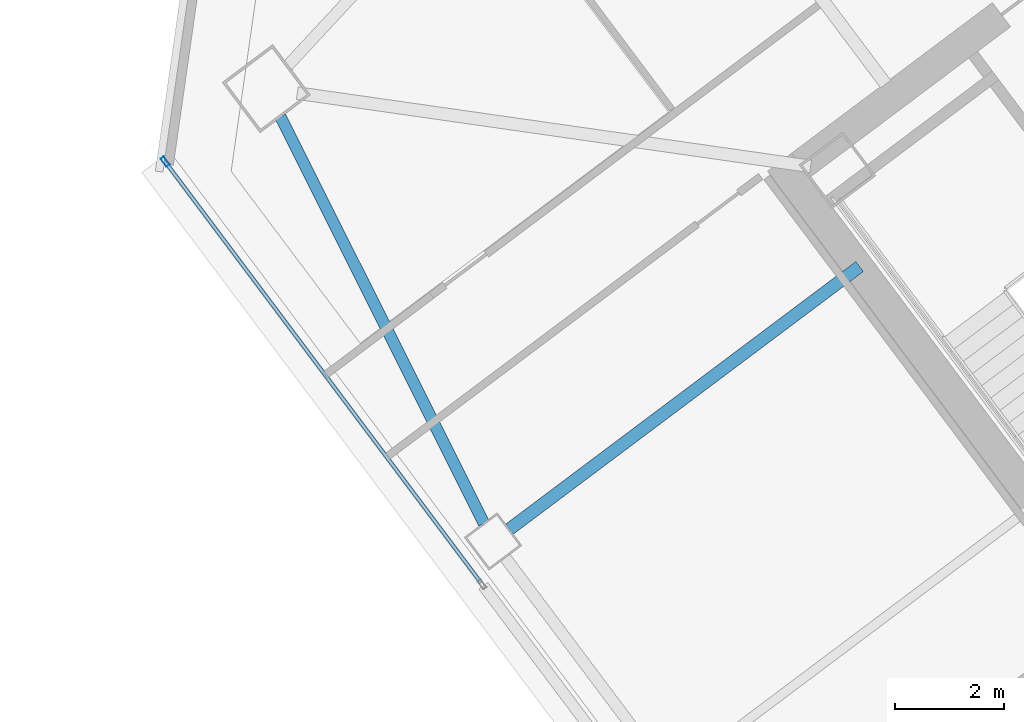
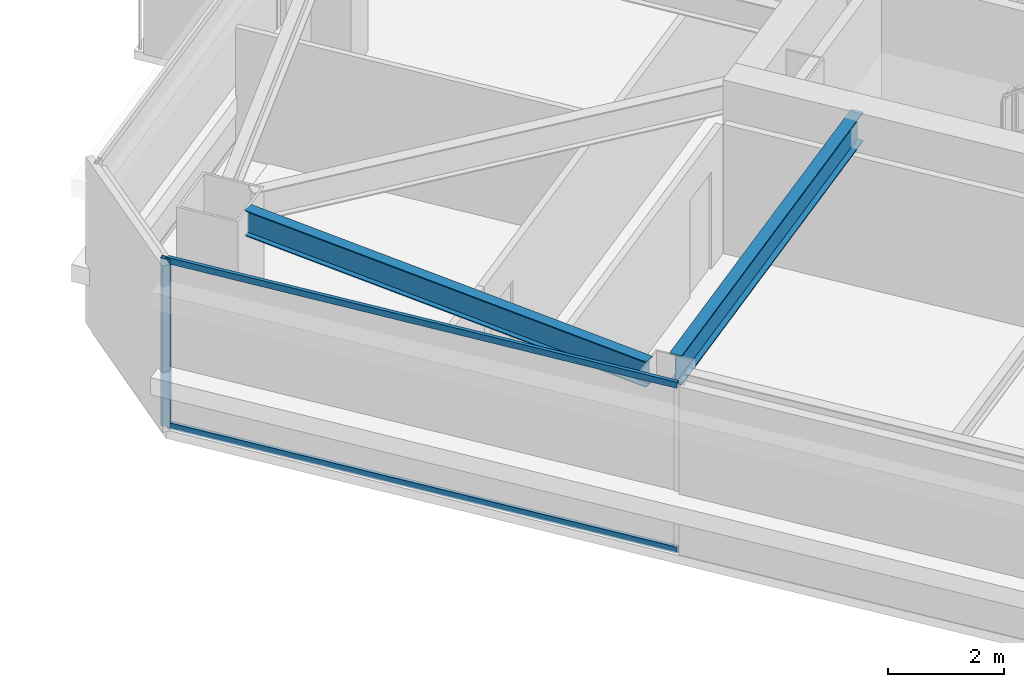
# One storey, part 21 of 41: 3 members, 2 beams, 1 element without a shape of its own.
"""IFC4 building model written with IfcOpenShell, lengths in metres."""

from ifc_helpers import new_model, si_unit, direction, frame, origin, origin_2d, place, context, subcontext, project, spatial, hollow_rectangle, i_section, extrude, material, material_profile, profile_set, type_object, element, aggregate, save


model = new_model("IFC4")

# Units and contexts
model_context = context("Model", 3, precision=1e-05, world=origin(), true_north=direction((0.0, 1.0)))
body_context = subcontext(model_context, "Body", "Model", "MODEL_VIEW")
ifc_project = project(units=[si_unit("LENGTHUNIT", "METRE"), si_unit("AREAUNIT", "SQUARE_METRE"), si_unit("VOLUMEUNIT", "CUBIC_METRE"), si_unit("PLANEANGLEUNIT", "RADIAN"), si_unit("MASSUNIT", "GRAM", prefix="KILO")], contexts=[model_context])

# Site, building, storey
site_placement = place(None, origin())
site = spatial("IfcSite", under=ifc_project, at=site_placement, CompositionType="ELEMENT")
building_placement = place(site_placement, origin())
building = spatial("IfcBuilding", under=site, at=building_placement, Name="Tashvorn Skyway Center", CompositionType="ELEMENT")
storey_placement = place(building_placement, frame((0.0, 0.0, 192.5)))
storey = spatial("IfcBuildingStorey", under=building, at=storey_placement, Name="L52", CompositionType="ELEMENT", Elevation=192.5)

# Beams
ifc_material_1 = material(Name="Steel ASTM A992 Grade 50", Category="steel")
ifc_material_profile_1 = material_profile(ifc_material_1, i_section(OverallWidth=0.22998046875, OverallDepth=0.616943359375, WebThickness=0.01318359375, FlangeThickness=0.022216796875, at=origin_2d()), Name="W24X94")
ifc_profile_set_1 = profile_set([ifc_material_profile_1], Name="Steel ASTM A992 Grade 50")
beam_type_1 = type_object("IfcBeamType", Name="BM-BEAM-W24X94", PredefinedType="BEAM", material=ifc_profile_set_1)
beam_1_placement = place(storey_placement, frame((98.135986328125, 26.85205078125, 3.0615234375), z_axis=(0.799992675677, 0.60000976564, 0.0), x_axis=(-0.60000976564, 0.799992675677, 0.0)))
element("IfcBeam", 1, at=beam_1_placement, inside=storey, type_object=beam_type_1, Name="Tower 2 L52 Primary Floor Girder FC-W1", PredefinedType="BEAM", context=body_context, shape_type="SweptSolid", body=[
    extrude(i_section(OverallWidth=0.22998046875, OverallDepth=0.616943359375, WebThickness=0.01318359375, FlangeThickness=0.022216796875, at=origin_2d()), origin(), (0.0, 0.0, 1.0), 8.0),
])
ifc_material_profile_2 = material_profile(ifc_material_1, i_section(OverallWidth=0.2109375, OverallDepth=0.5390625, WebThickness=0.01171875, FlangeThickness=0.018798828125, at=origin_2d()), Name="W21X73")
ifc_profile_set_2 = profile_set([ifc_material_profile_2], Name="Steel ASTM A992 Grade 50")
beam_type_2 = type_object("IfcBeamType", Name="BM-SPANDREL-W21X73", PredefinedType="SPANDREL", material=ifc_profile_set_2)
beam_2_placement = place(storey_placement, frame((93.955078125, 34.390380859375, 3.1005859375), z_axis=(0.447648438059, -0.894209637559, 0.0), x_axis=(0.894209637559, 0.447648438059, 0.0)))
element("IfcBeam", 2, at=beam_2_placement, inside=storey, type_object=beam_type_2, Name="Tower 2 L52 Spandrel Beam 10", PredefinedType="SPANDREL", context=body_context, shape_type="SweptSolid", body=[
    extrude(i_section(OverallWidth=0.2109375, OverallDepth=0.5390625, WebThickness=0.01171875, FlangeThickness=0.018798828125, at=origin_2d()), origin(), (0.0, 0.0, 1.0), 8.308349609375),
])

# Curtain wall, members
ifc_material_2 = material(Name="Thermally broken bronze-anodized aluminium 6063-T6", Category="aluminium")
curtain_wall_type = type_object("IfcCurtainWallType", Name="CW-CW-Z4", PredefinedType="NOTDEFINED", material=ifc_material_2)
curtain_wall_placement = place(storey_placement, origin())
curtain_wall = element("IfcCurtainWall", 3, at=curtain_wall_placement, inside=storey, type_object=curtain_wall_type, Name="Tower 2 L52 West Unitised Curtain Wall Glazing Group 2", PredefinedType="NOTDEFINED")
ifc_material_profile_3 = material_profile(ifc_material_2, hollow_rectangle(XDim=0.070068359375, YDim=0.179931640625, WallThickness=0.00390625, at=origin_2d()), Name="ALU-MULL-70x180")
ifc_profile_set_3 = profile_set([ifc_material_profile_3], Name="Thermally broken bronze-anodized aluminium 6063-T6")
member_type_1 = type_object("IfcMemberType", Name="CWM-CW-Z4", PredefinedType="MULLION", material=ifc_profile_set_3)
member_1_placement = place(storey_placement, frame((91.84912109375, 33.568115234375, 0.0), z_axis=(0.0, 0.0, 1.0), x_axis=(-0.799999999998, -0.600000000002, 0.0)))
member_1 = element("IfcMember", 4, at=member_1_placement, type_object=member_type_1, Name="CW-Z4 mullion 2", PredefinedType="MULLION", context=body_context, shape_type="SweptSolid", body=[
    extrude(hollow_rectangle(XDim=0.070068359375, YDim=0.179931640625, WallThickness=0.00390625, at=origin_2d()), origin(), (0.0, 0.0, 1.0), 3.550048828125),
])
ifc_material_profile_4 = material_profile(ifc_material_2, hollow_rectangle(XDim=0.070068359375, YDim=0.1298828125, WallThickness=0.00390625, at=origin_2d()), Name="ALU-TRAN-70x130")
ifc_profile_set_4 = profile_set([ifc_material_profile_4], Name="Thermally broken bronze-anodized aluminium 6063-T6")
member_type_2 = type_object("IfcMemberType", Name="CWT-CW-Z4", PredefinedType="USERDEFINED", material=ifc_profile_set_4)
member_2_placement = place(storey_placement, frame((97.617919921875, 25.8759765625, 0.034912109375), z_axis=(-0.599983689738, 0.800012232437, 0.0), x_axis=(-0.800012232437, -0.599983689738, 0.0)))
member_2 = element("IfcMember", 5, at=member_2_placement, type_object=member_type_2, Name="CW-Z4 transom 1.1", ObjectType="TRANSOM", PredefinedType="USERDEFINED", context=body_context, shape_type="SweptSolid", body=[
    extrude(hollow_rectangle(XDim=0.070068359375, YDim=0.1298828125, WallThickness=0.00390625, at=origin_2d()), origin(), (0.0, 0.0, 1.0), 9.579833984375),
])
member_3_placement = place(storey_placement, frame((97.617919921875, 25.8759765625, 3.514892578125), z_axis=(-0.599983689738, 0.800012232437, 0.0), x_axis=(-0.800012232437, -0.599983689738, 0.0)))
member_3 = element("IfcMember", 6, at=member_3_placement, type_object=member_type_2, Name="CW-Z4 transom 1.2", ObjectType="TRANSOM", PredefinedType="USERDEFINED", context=body_context, shape_type="SweptSolid", body=[
    extrude(hollow_rectangle(XDim=0.070068359375, YDim=0.1298828125, WallThickness=0.00390625, at=origin_2d()), origin(), (0.0, 0.0, 1.0), 9.579833984375),
])
aggregate(curtain_wall, [member_1, member_2, member_3])

save(model, "model.ifc")
